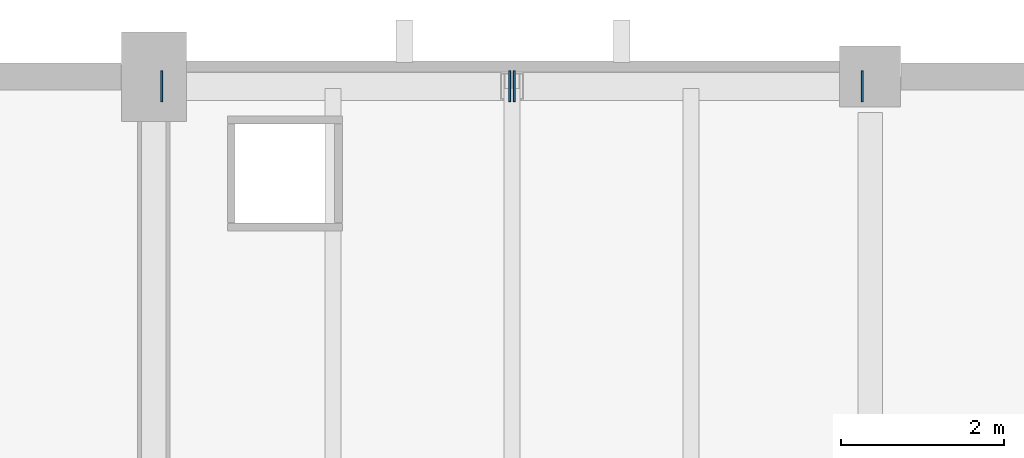
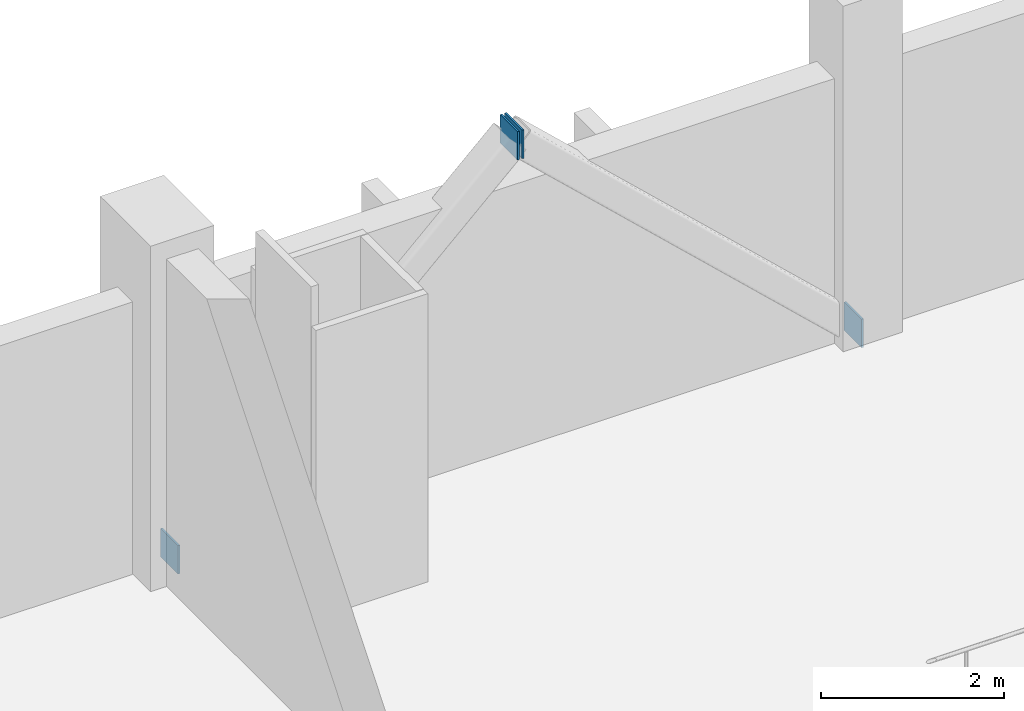
# One storey, part 115 of 136: 4 plates.
"""IFC4 building model written with IfcOpenShell, lengths in metres."""

from ifc_helpers import new_model, si_unit, direction, frame, origin, origin_2d, place, context, subcontext, project, spatial, rectangle, extrude, material, layer, layer_set, type_object, element, save


model = new_model("IFC4")

# Units and contexts
model_context = context("Model", 3, precision=1e-05, world=origin(), true_north=direction((0.0, 1.0)))
body_context = subcontext(model_context, "Body", "Model", "MODEL_VIEW")
ifc_project = project(units=[si_unit("LENGTHUNIT", "METRE"), si_unit("AREAUNIT", "SQUARE_METRE"), si_unit("VOLUMEUNIT", "CUBIC_METRE"), si_unit("PLANEANGLEUNIT", "RADIAN"), si_unit("MASSUNIT", "GRAM", prefix="KILO")], contexts=[model_context])

# Site, building, storey
site_placement = place(None, origin())
site = spatial("IfcSite", under=ifc_project, at=site_placement, CompositionType="ELEMENT")
building_placement = place(site_placement, origin())
building = spatial("IfcBuilding", under=site, at=building_placement, Name="Shengluoqiao Park Theatre", CompositionType="ELEMENT")
storey_placement = place(building_placement, frame((0.0, 0.0, 10.0)))
storey = spatial("IfcBuildingStorey", under=building, at=storey_placement, Name="L02", CompositionType="ELEMENT", Elevation=10.0)

# Plates
ifc_material = material(Name="Steel Q390", Category="steel")
ifc_layer = layer(ifc_material, 0.02392578125, Name="Steel Q390")
ifc_layer_set = layer_set([ifc_layer], Name="Steel Q390")
plate_type = type_object("IfcPlateType", Name="STR-PLT-EC-360", PredefinedType="SHEET", material=ifc_layer_set)
for number, where, z_axis, x_axis, name in (
    (1, (86.49462890625, 113.8798828125, -0.08154296875), (0.0, 0.0, 1.0), (1.0, 0.0, 0.0), "Hollow Tube End Cap Plate 00128"),
    (2, (90.771484375, 113.8798828125, 3.933837890625), (0.0, 0.0, 1.0), (1.0, 0.0, 0.0), "Hollow Tube End Cap Plate 00129"),
    (3, (95.10546875, 113.8798828125, -0.08154296875), (0.0, 0.0, 1.0), (-1.0, 0.0, 0.0), "Hollow Tube End Cap Plate 00130"),
    (4, (90.82861328125, 113.8798828125, 3.933837890625), (0.0, 0.0, 1.0), (-1.0, 0.0, 0.0), "Hollow Tube End Cap Plate 00131"),
):
    element("IfcPlate", number, at=place(storey_placement, frame(where, z_axis=z_axis, x_axis=x_axis)), inside=storey, type_object=plate_type, Name=name, PredefinedType="SHEET", context=body_context, shape_type="SweptSolid", body=[
        extrude(rectangle(XDim=0.02392578125, YDim=0.3798828125, at=origin_2d()), origin(), (0.0, 0.0, 1.0), 0.3798828125),
    ])

save(model, "model.ifc")
